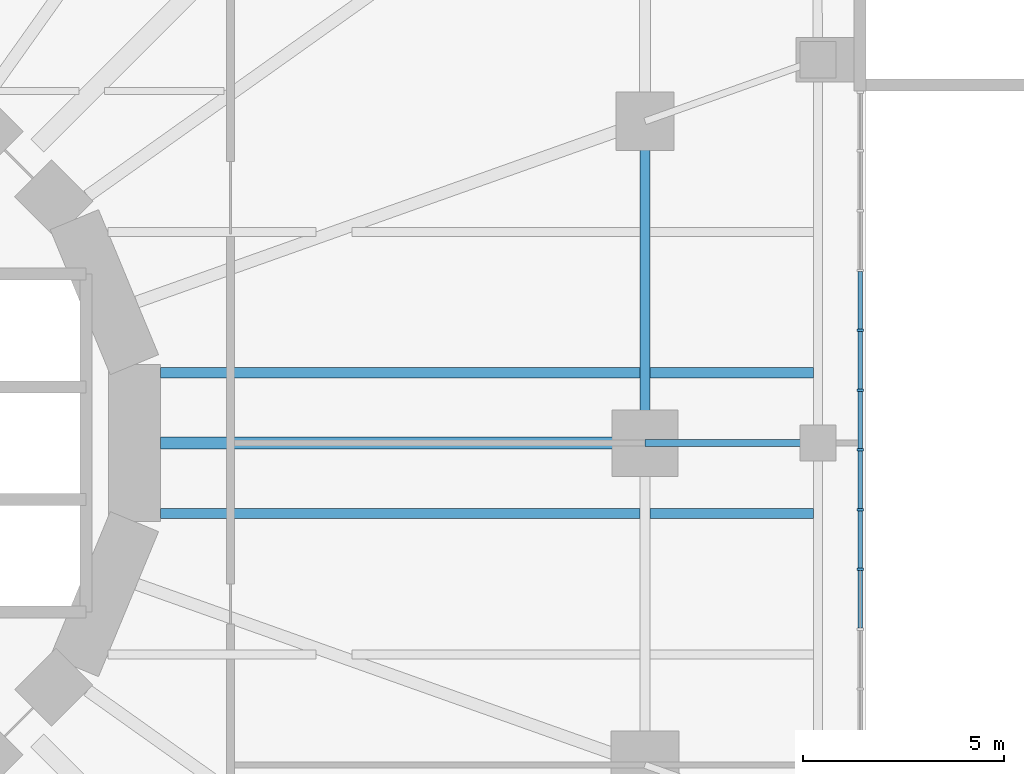
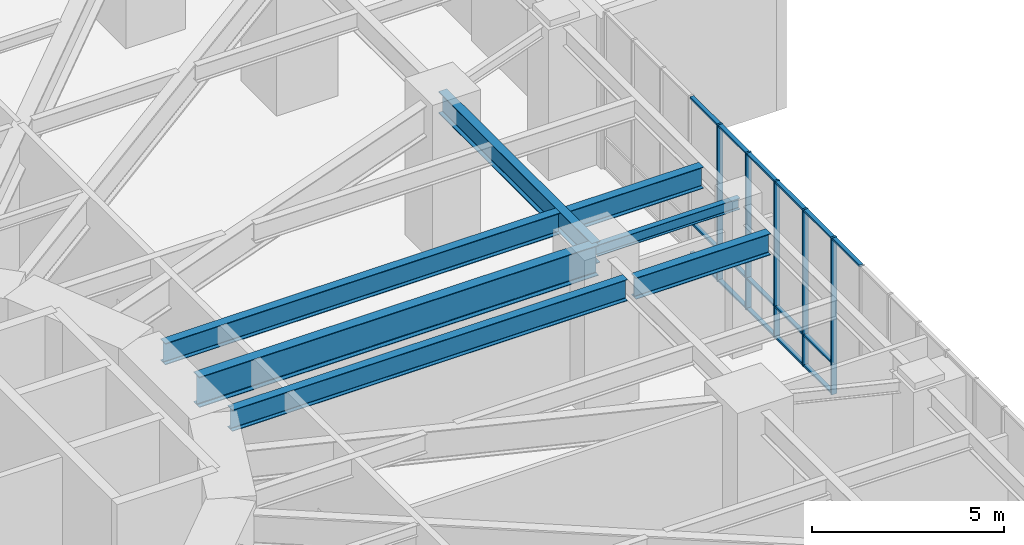
# One storey, part 9 of 24: 21 members, 7 beams, 1 element without a shape of its own.
"""IFC4 building model written with IfcOpenShell, lengths in metres."""

from ifc_helpers import new_model, si_unit, direction, frame, origin, origin_2d, place, context, subcontext, project, spatial, rectangle, i_section, extrude, material, material_profile, profile_set, type_object, element, aggregate, save


model = new_model("IFC4")

# Units and contexts
model_context = context("Model", 3, precision=1e-05, world=origin(), true_north=direction((0.0, 1.0)))
body_context = subcontext(model_context, "Body", "Model", "MODEL_VIEW")
ifc_project = project(units=[si_unit("LENGTHUNIT", "METRE"), si_unit("AREAUNIT", "SQUARE_METRE"), si_unit("VOLUMEUNIT", "CUBIC_METRE"), si_unit("PLANEANGLEUNIT", "RADIAN"), si_unit("MASSUNIT", "GRAM", prefix="KILO")], contexts=[model_context])

# Site, building, storey
site_placement = place(None, origin())
site = spatial("IfcSite", under=ifc_project, at=site_placement, CompositionType="ELEMENT")
building_placement = place(site_placement, origin())
building = spatial("IfcBuilding", under=site, at=building_placement, Name="Nakasero Lantern House", CompositionType="ELEMENT")
storey_placement = place(building_placement, frame((0.0, 0.0, 11.0)))
storey = spatial("IfcBuildingStorey", under=building, at=storey_placement, Name="L02", CompositionType="ELEMENT", Elevation=11.0)

# Beams
ifc_material_1 = material(Name="Steel S355", Category="steel")
ifc_material_profile_1 = material_profile(ifc_material_1, i_section(OverallWidth=0.253662109375, OverallDepth=0.68359375, WebThickness=0.012451171875, FlangeThickness=0.01904296875, FilletRadius=0.01513671875, at=origin_2d()), Name="UB 686x254x140")
ifc_profile_set_1 = profile_set([ifc_material_profile_1], Name="Steel S355")
beam_type_1 = type_object("IfcBeamType", Name="Infill beam UB 686x254x140", PredefinedType="JOIST", material=ifc_profile_set_1)
beam_1_placement = place(storey_placement, frame((10.457763671875, -1.75, 4.458251953125), z_axis=(1.0, 0.0, 0.0), x_axis=(0.0, 1.0, 0.0)))
element("IfcBeam", 1, at=beam_1_placement, inside=storey, type_object=beam_type_1, Name="Infill beam L03 08.3", PredefinedType="JOIST", context=body_context, shape_type="SweptSolid", body=[
    extrude(i_section(OverallWidth=0.253662109375, OverallDepth=0.68359375, WebThickness=0.012451171875, FlangeThickness=0.01904296875, FilletRadius=0.01513671875, at=origin_2d()), origin(), (0.0, 0.0, 1.0), 11.914306640625),
])
beam_2_placement = place(storey_placement, frame((22.6279296875, -1.75, 4.408203125), z_axis=(1.0, 0.0, 0.0), x_axis=(0.0, 1.0, 0.0)))
element("IfcBeam", 2, at=beam_2_placement, inside=storey, type_object=beam_type_1, Name="Infill beam L03 08.4", PredefinedType="JOIST", context=body_context, shape_type="SweptSolid", body=[
    extrude(i_section(OverallWidth=0.253662109375, OverallDepth=0.68359375, WebThickness=0.012451171875, FlangeThickness=0.01904296875, FilletRadius=0.01513671875, at=origin_2d()), origin(), (0.0, 0.0, 1.0), 4.0576171875),
])
beam_3_placement = place(storey_placement, frame((10.457763671875, 1.75, 4.458251953125), z_axis=(1.0, 0.0, 0.0), x_axis=(0.0, 1.0, 0.0)))
element("IfcBeam", 3, at=beam_3_placement, inside=storey, type_object=beam_type_1, Name="Infill beam L03 09.3", PredefinedType="JOIST", context=body_context, shape_type="SweptSolid", body=[
    extrude(i_section(OverallWidth=0.253662109375, OverallDepth=0.68359375, WebThickness=0.012451171875, FlangeThickness=0.01904296875, FilletRadius=0.01513671875, at=origin_2d()), origin(), (0.0, 0.0, 1.0), 11.914306640625),
])
beam_4_placement = place(storey_placement, frame((22.6279296875, 1.75, 4.408203125), z_axis=(1.0, 0.0, 0.0), x_axis=(0.0, 1.0, 0.0)))
element("IfcBeam", 4, at=beam_4_placement, inside=storey, type_object=beam_type_1, Name="Infill beam L03 09.4", PredefinedType="JOIST", context=body_context, shape_type="SweptSolid", body=[
    extrude(i_section(OverallWidth=0.253662109375, OverallDepth=0.68359375, WebThickness=0.012451171875, FlangeThickness=0.01904296875, FilletRadius=0.01513671875, at=origin_2d()), origin(), (0.0, 0.0, 1.0), 4.0576171875),
])

# Curtain wall, members
ifc_material_2 = material(Name="Aluminium 6063-T6 and glass", Category="aluminium")
curtain_wall_type = type_object("IfcCurtainWallType", Name="Podium curtain wall CW-2", PredefinedType="USERDEFINED", material=ifc_material_2)
curtain_wall_placement = place(storey_placement, origin())
curtain_wall = element("IfcCurtainWall", 5, at=curtain_wall_placement, inside=storey, type_object=curtain_wall_type, Name="Curtain wall CW-2 L02", ObjectType="STICK CURTAIN WALL", PredefinedType="USERDEFINED")
ifc_material_3 = material(Name="Aluminium 6063-T6", Category="aluminium")
ifc_material_profile_2 = material_profile(ifc_material_3, rectangle(XDim=0.06005859375, YDim=0.159912109375, at=origin_2d()), Name="CW-2 mullion 60x160")
ifc_profile_set_2 = profile_set([ifc_material_profile_2], Name="Aluminium 6063-T6")
member_type_1 = type_object("IfcMemberType", Name="Mullion CW-2", PredefinedType="MULLION", material=ifc_profile_set_2)
member_1_placement = place(storey_placement, frame((27.85009765625, -3.138916015625, 0.0), z_axis=(0.0, 0.0, 1.0), x_axis=(0.0, 1.0, 0.0)))
member_1 = element("IfcMember", 6, at=member_1_placement, type_object=member_type_1, Name="CW-2 mullion 11", PredefinedType="MULLION", context=body_context, shape_type="SweptSolid", body=[
    extrude(rectangle(XDim=0.06005859375, YDim=0.159912109375, at=origin_2d()), origin(), (0.0, 0.0, 1.0), 5.0),
])
member_2_placement = place(storey_placement, frame((27.85009765625, -1.65283203125, 0.0), z_axis=(0.0, 0.0, 1.0), x_axis=(0.0, 1.0, 0.0)))
member_2 = element("IfcMember", 7, at=member_2_placement, type_object=member_type_1, Name="CW-2 mullion 12", PredefinedType="MULLION", context=body_context, shape_type="SweptSolid", body=[
    extrude(rectangle(XDim=0.06005859375, YDim=0.159912109375, at=origin_2d()), origin(), (0.0, 0.0, 1.0), 5.0),
])
member_3_placement = place(storey_placement, frame((27.85009765625, -0.166748046875, 0.0), z_axis=(0.0, 0.0, 1.0), x_axis=(0.0, 1.0, 0.0)))
member_3 = element("IfcMember", 8, at=member_3_placement, type_object=member_type_1, Name="CW-2 mullion 13", PredefinedType="MULLION", context=body_context, shape_type="SweptSolid", body=[
    extrude(rectangle(XDim=0.06005859375, YDim=0.159912109375, at=origin_2d()), origin(), (0.0, 0.0, 1.0), 5.0),
])
member_4_placement = place(storey_placement, frame((27.85009765625, 1.3193359375, 0.0), z_axis=(0.0, 0.0, 1.0), x_axis=(0.0, 1.0, 0.0)))
member_4 = element("IfcMember", 9, at=member_4_placement, type_object=member_type_1, Name="CW-2 mullion 14", PredefinedType="MULLION", context=body_context, shape_type="SweptSolid", body=[
    extrude(rectangle(XDim=0.06005859375, YDim=0.159912109375, at=origin_2d()), origin(), (0.0, 0.0, 1.0), 5.0),
])
member_5_placement = place(storey_placement, frame((27.85009765625, 2.8056640625, 0.0), z_axis=(0.0, 0.0, 1.0), x_axis=(0.0, 1.0, 0.0)))
member_5 = element("IfcMember", 10, at=member_5_placement, type_object=member_type_1, Name="CW-2 mullion 15", PredefinedType="MULLION", context=body_context, shape_type="SweptSolid", body=[
    extrude(rectangle(XDim=0.06005859375, YDim=0.159912109375, at=origin_2d()), origin(), (0.0, 0.0, 1.0), 5.0),
])

# Beams
ifc_material_4 = material(Name="Steel S355", Category="steel")
ifc_material_profile_3 = material_profile(ifc_material_4, i_section(OverallWidth=0.300048828125, OverallDepth=0.97021484375, WebThickness=0.01611328125, FlangeThickness=0.02099609375, FilletRadius=0.030029296875, at=origin_2d()), Name="UB 1016x305x222")
ifc_profile_set_3 = profile_set([ifc_material_profile_3], Name="Steel S355")
beam_type_2 = type_object("IfcBeamType", Name="Primary beam UB 1016x305x222, span 12 to 15 m", PredefinedType="BEAM", material=ifc_profile_set_3)
beam_5_placement = place(storey_placement, frame((22.5, 0.0, 4.31494140625), z_axis=(-1.0, 0.0, 0.0), x_axis=(0.0, -1.0, 0.0)))
element("IfcBeam", 11, at=beam_5_placement, inside=storey, type_object=beam_type_2, Name="Primary beam L03 B1-C03", PredefinedType="BEAM", context=body_context, shape_type="SweptSolid", body=[
    extrude(i_section(OverallWidth=0.300048828125, OverallDepth=0.97021484375, WebThickness=0.01611328125, FlangeThickness=0.02099609375, FilletRadius=0.030029296875, at=origin_2d()), origin(), (0.0, 0.0, 1.0), 12.042236328125),
])
ifc_material_5 = material(Name="Steel S355", Category="steel")
ifc_material_profile_4 = material_profile(ifc_material_5, i_section(OverallWidth=0.17138671875, OverallDepth=0.35498046875, WebThickness=0.00732421875, FlangeThickness=0.011474609375, FilletRadius=0.01025390625, at=origin_2d()), Name="UB 356x171x51")
ifc_profile_set_4 = profile_set([ifc_material_profile_4], Name="Steel S355")
beam_type_3 = type_object("IfcBeamType", Name="Primary beam UB 356x171x51, span to 6 m", PredefinedType="BEAM", material=ifc_profile_set_4)
beam_6_placement = place(storey_placement, frame((26.800048828125, 0.0, 4.572509765625), z_axis=(-1.0, 0.0, 0.0), x_axis=(0.0, -1.0, 0.0)))
element("IfcBeam", 12, at=beam_6_placement, inside=storey, type_object=beam_type_3, Name="Primary beam L03 POD-C03", PredefinedType="BEAM", context=body_context, shape_type="SweptSolid", body=[
    extrude(i_section(OverallWidth=0.17138671875, OverallDepth=0.35498046875, WebThickness=0.00732421875, FlangeThickness=0.011474609375, FilletRadius=0.01025390625, at=origin_2d()), origin(), (0.0, 0.0, 1.0), 4.300048828125),
])
ifc_material_6 = material(Name="Steel S355", Category="steel")
ifc_material_profile_5 = material_profile(ifc_material_6, i_section(OverallWidth=0.255859375, OverallDepth=0.69287109375, WebThickness=0.014404296875, FlangeThickness=0.023681640625, FilletRadius=0.01513671875, at=origin_2d()), Name="UB 686x254x170")
ifc_profile_set_5 = profile_set([ifc_material_profile_5], Name="Steel S355")
beam_type_4 = type_object("IfcBeamType", Name="Ring beam UB 686x254x170", PredefinedType="BEAM", material=ifc_profile_set_5)
beam_7_placement = place(storey_placement, frame((22.5, 0.0, 4.45361328125), z_axis=(0.0, 1.0, 0.0), x_axis=(-1.0, 0.0, 0.0)))
element("IfcBeam", 13, at=beam_7_placement, inside=storey, type_object=beam_type_4, Name="Ring beam L03 B1-C03", PredefinedType="BEAM", context=body_context, shape_type="SweptSolid", body=[
    extrude(i_section(OverallWidth=0.255859375, OverallDepth=0.69287109375, WebThickness=0.014404296875, FlangeThickness=0.023681640625, FilletRadius=0.01513671875, at=origin_2d()), origin(), (0.0, 0.0, 1.0), 8.0),
])

# Member
ifc_material_7 = material(Name="Aluminium 6063-T6", Category="aluminium")
ifc_material_profile_6 = material_profile(ifc_material_7, rectangle(XDim=0.06005859375, YDim=0.1201171875, at=origin_2d()), Name="CW-2 transom 60x120")
ifc_profile_set_6 = profile_set([ifc_material_profile_6], Name="Aluminium 6063-T6")
member_type_2 = type_object("IfcMemberType", Name="Transom CW-2", PredefinedType="USERDEFINED", material=ifc_profile_set_6)
member_6_placement = place(storey_placement, frame((27.85009765625, -4.594970703125, 4.969970703125), z_axis=(0.0, 1.0, 0.0), x_axis=(0.0, 0.0, 1.0)))
member_6 = element("IfcMember", 14, at=member_6_placement, type_object=member_type_2, Name="CW-2 transom 10.3", ObjectType="TRANSOM", PredefinedType="USERDEFINED", context=body_context, shape_type="SweptSolid", body=[
    extrude(rectangle(XDim=0.06005859375, YDim=0.1201171875, at=origin_2d()), origin(), (0.0, 0.0, 1.0), 1.426025390625),
])

member_7_placement = place(storey_placement, frame((27.85009765625, -3.10888671875, 0.030029296875), z_axis=(0.0, 1.0, 0.0), x_axis=(0.0, 0.0, 1.0)))
member_7 = element("IfcMember", 15, at=member_7_placement, type_object=member_type_2, Name="CW-2 transom 11.1", ObjectType="TRANSOM", PredefinedType="USERDEFINED", context=body_context, shape_type="SweptSolid", body=[
    extrude(rectangle(XDim=0.06005859375, YDim=0.1201171875, at=origin_2d()), origin(), (0.0, 0.0, 1.0), 1.426025390625),
])

member_8_placement = place(storey_placement, frame((27.85009765625, -3.10888671875, 1.0), z_axis=(0.0, 1.0, 0.0), x_axis=(0.0, 0.0, 1.0)))
member_8 = element("IfcMember", 16, at=member_8_placement, type_object=member_type_2, Name="CW-2 transom 11.2", ObjectType="TRANSOM", PredefinedType="USERDEFINED", context=body_context, shape_type="SweptSolid", body=[
    extrude(rectangle(XDim=0.06005859375, YDim=0.1201171875, at=origin_2d()), origin(), (0.0, 0.0, 1.0), 1.426025390625),
])

member_9_placement = place(storey_placement, frame((27.85009765625, -3.10888671875, 4.969970703125), z_axis=(0.0, 1.0, 0.0), x_axis=(0.0, 0.0, 1.0)))
member_9 = element("IfcMember", 17, at=member_9_placement, type_object=member_type_2, Name="CW-2 transom 11.3", ObjectType="TRANSOM", PredefinedType="USERDEFINED", context=body_context, shape_type="SweptSolid", body=[
    extrude(rectangle(XDim=0.06005859375, YDim=0.1201171875, at=origin_2d()), origin(), (0.0, 0.0, 1.0), 1.426025390625),
])

member_10_placement = place(storey_placement, frame((27.85009765625, -1.622802734375, 0.030029296875), z_axis=(0.0, 1.0, 0.0), x_axis=(0.0, 0.0, 1.0)))
member_10 = element("IfcMember", 18, at=member_10_placement, type_object=member_type_2, Name="CW-2 transom 12.1", ObjectType="TRANSOM", PredefinedType="USERDEFINED", context=body_context, shape_type="SweptSolid", body=[
    extrude(rectangle(XDim=0.06005859375, YDim=0.1201171875, at=origin_2d()), origin(), (0.0, 0.0, 1.0), 1.426025390625),
])

member_11_placement = place(storey_placement, frame((27.85009765625, -1.622802734375, 1.0), z_axis=(0.0, 1.0, 0.0), x_axis=(0.0, 0.0, 1.0)))
member_11 = element("IfcMember", 19, at=member_11_placement, type_object=member_type_2, Name="CW-2 transom 12.2", ObjectType="TRANSOM", PredefinedType="USERDEFINED", context=body_context, shape_type="SweptSolid", body=[
    extrude(rectangle(XDim=0.06005859375, YDim=0.1201171875, at=origin_2d()), origin(), (0.0, 0.0, 1.0), 1.426025390625),
])

member_12_placement = place(storey_placement, frame((27.85009765625, -1.622802734375, 4.969970703125), z_axis=(0.0, 1.0, 0.0), x_axis=(0.0, 0.0, 1.0)))
member_12 = element("IfcMember", 20, at=member_12_placement, type_object=member_type_2, Name="CW-2 transom 12.3", ObjectType="TRANSOM", PredefinedType="USERDEFINED", context=body_context, shape_type="SweptSolid", body=[
    extrude(rectangle(XDim=0.06005859375, YDim=0.1201171875, at=origin_2d()), origin(), (0.0, 0.0, 1.0), 1.426025390625),
])

member_13_placement = place(storey_placement, frame((27.85009765625, -0.13671875, 0.030029296875), z_axis=(0.0, 1.0, 0.0), x_axis=(0.0, 0.0, 1.0)))
member_13 = element("IfcMember", 21, at=member_13_placement, type_object=member_type_2, Name="CW-2 transom 13.1", ObjectType="TRANSOM", PredefinedType="USERDEFINED", context=body_context, shape_type="SweptSolid", body=[
    extrude(rectangle(XDim=0.06005859375, YDim=0.1201171875, at=origin_2d()), origin(), (0.0, 0.0, 1.0), 1.42626953125),
])

member_14_placement = place(storey_placement, frame((27.85009765625, -0.13671875, 1.0), z_axis=(0.0, 1.0, 0.0), x_axis=(0.0, 0.0, 1.0)))
member_14 = element("IfcMember", 22, at=member_14_placement, type_object=member_type_2, Name="CW-2 transom 13.2", ObjectType="TRANSOM", PredefinedType="USERDEFINED", context=body_context, shape_type="SweptSolid", body=[
    extrude(rectangle(XDim=0.06005859375, YDim=0.1201171875, at=origin_2d()), origin(), (0.0, 0.0, 1.0), 1.42626953125),
])

member_15_placement = place(storey_placement, frame((27.85009765625, -0.13671875, 4.969970703125), z_axis=(0.0, 1.0, 0.0), x_axis=(0.0, 0.0, 1.0)))
member_15 = element("IfcMember", 23, at=member_15_placement, type_object=member_type_2, Name="CW-2 transom 13.3", ObjectType="TRANSOM", PredefinedType="USERDEFINED", context=body_context, shape_type="SweptSolid", body=[
    extrude(rectangle(XDim=0.06005859375, YDim=0.1201171875, at=origin_2d()), origin(), (0.0, 0.0, 1.0), 1.42626953125),
])

member_16_placement = place(storey_placement, frame((27.85009765625, 1.349365234375, 0.030029296875), z_axis=(0.0, 1.0, 0.0), x_axis=(0.0, 0.0, 1.0)))
member_16 = element("IfcMember", 24, at=member_16_placement, type_object=member_type_2, Name="CW-2 transom 14.1", ObjectType="TRANSOM", PredefinedType="USERDEFINED", context=body_context, shape_type="SweptSolid", body=[
    extrude(rectangle(XDim=0.06005859375, YDim=0.1201171875, at=origin_2d()), origin(), (0.0, 0.0, 1.0), 1.42626953125),
])

member_17_placement = place(storey_placement, frame((27.85009765625, 1.349365234375, 1.0), z_axis=(0.0, 1.0, 0.0), x_axis=(0.0, 0.0, 1.0)))
member_17 = element("IfcMember", 25, at=member_17_placement, type_object=member_type_2, Name="CW-2 transom 14.2", ObjectType="TRANSOM", PredefinedType="USERDEFINED", context=body_context, shape_type="SweptSolid", body=[
    extrude(rectangle(XDim=0.06005859375, YDim=0.1201171875, at=origin_2d()), origin(), (0.0, 0.0, 1.0), 1.42626953125),
])

member_18_placement = place(storey_placement, frame((27.85009765625, 1.349365234375, 4.969970703125), z_axis=(0.0, 1.0, 0.0), x_axis=(0.0, 0.0, 1.0)))
member_18 = element("IfcMember", 26, at=member_18_placement, type_object=member_type_2, Name="CW-2 transom 14.3", ObjectType="TRANSOM", PredefinedType="USERDEFINED", context=body_context, shape_type="SweptSolid", body=[
    extrude(rectangle(XDim=0.06005859375, YDim=0.1201171875, at=origin_2d()), origin(), (0.0, 0.0, 1.0), 1.42626953125),
])

member_19_placement = place(storey_placement, frame((27.85009765625, 2.83544921875, 0.030029296875), z_axis=(0.0, 1.0, 0.0), x_axis=(0.0, 0.0, 1.0)))
member_19 = element("IfcMember", 27, at=member_19_placement, type_object=member_type_2, Name="CW-2 transom 15.1", ObjectType="TRANSOM", PredefinedType="USERDEFINED", context=body_context, shape_type="SweptSolid", body=[
    extrude(rectangle(XDim=0.06005859375, YDim=0.1201171875, at=origin_2d()), origin(), (0.0, 0.0, 1.0), 1.42626953125),
])

member_20_placement = place(storey_placement, frame((27.85009765625, 2.83544921875, 1.0), z_axis=(0.0, 1.0, 0.0), x_axis=(0.0, 0.0, 1.0)))
member_20 = element("IfcMember", 28, at=member_20_placement, type_object=member_type_2, Name="CW-2 transom 15.2", ObjectType="TRANSOM", PredefinedType="USERDEFINED", context=body_context, shape_type="SweptSolid", body=[
    extrude(rectangle(XDim=0.06005859375, YDim=0.1201171875, at=origin_2d()), origin(), (0.0, 0.0, 1.0), 1.42626953125),
])

member_21_placement = place(storey_placement, frame((27.85009765625, 2.83544921875, 4.969970703125), z_axis=(0.0, 1.0, 0.0), x_axis=(0.0, 0.0, 1.0)))
member_21 = element("IfcMember", 29, at=member_21_placement, type_object=member_type_2, Name="CW-2 transom 15.3", ObjectType="TRANSOM", PredefinedType="USERDEFINED", context=body_context, shape_type="SweptSolid", body=[
    extrude(rectangle(XDim=0.06005859375, YDim=0.1201171875, at=origin_2d()), origin(), (0.0, 0.0, 1.0), 1.42626953125),
])

aggregate(curtain_wall, [member_1, member_2, member_3, member_4, member_5, member_6, member_7, member_8, member_9, member_10, member_11, member_12, member_13, member_14, member_15, member_16, member_17, member_18, member_19, member_20, member_21])

save(model, "model.ifc")
